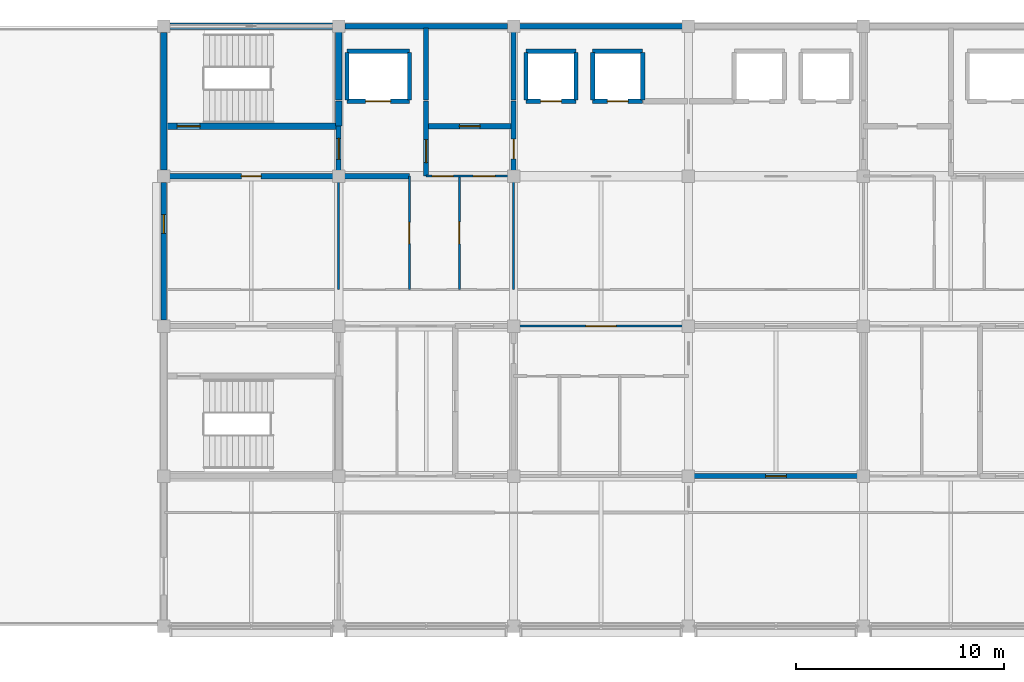
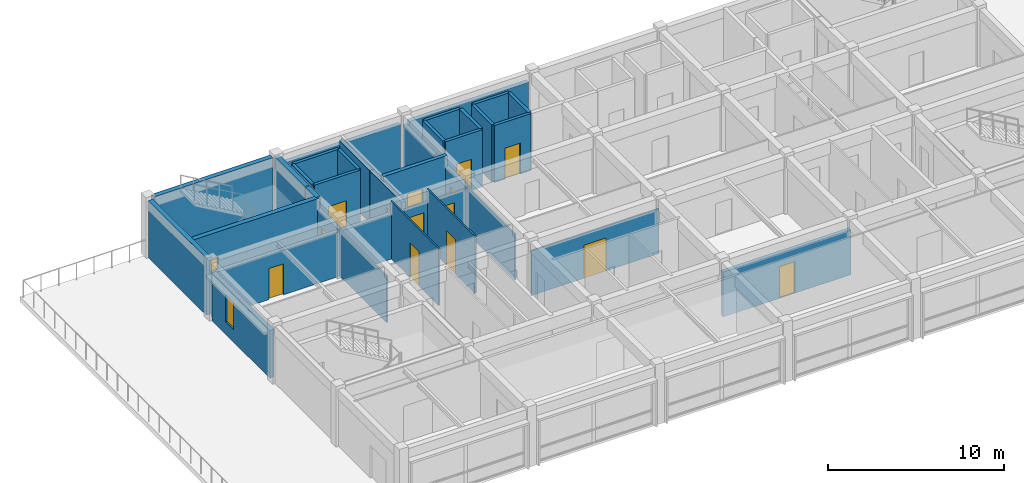
# One storey, part 8 of 13: 34 walls, 15 doors, 1 window, 16 openings.
"""IFC4 building model written with IfcOpenShell, lengths in metres."""

from ifc_helpers import new_model, si_unit, direction, frame, frame_2d, origin, place, context, subcontext, project, spatial, rectangle, extrude, material, layer, layer_set, type_object, element, fill, save


model = new_model("IFC4")

# Units and contexts
model_context = context("Model", 3, precision=1e-05, world=origin(), true_north=direction((0.0, 1.0)))
body_context = subcontext(model_context, "Body", "Model", "MODEL_VIEW")
ifc_project = project(units=[si_unit("LENGTHUNIT", "METRE"), si_unit("AREAUNIT", "SQUARE_METRE"), si_unit("VOLUMEUNIT", "CUBIC_METRE"), si_unit("PLANEANGLEUNIT", "RADIAN"), si_unit("MASSUNIT", "GRAM", prefix="KILO")], contexts=[model_context])

# Site, building, storey
site_placement = place(None, origin())
site = spatial("IfcSite", under=ifc_project, at=site_placement, CompositionType="ELEMENT")
building_placement = place(site_placement, origin())
building = spatial("IfcBuilding", under=site, at=building_placement, Name="Chengyuan Square Courthouse", CompositionType="ELEMENT")
storey_placement = place(building_placement, frame((0.0, 0.0, 60.300048828125)))
storey = spatial("IfcBuildingStorey", under=building, at=storey_placement, Name="L14", CompositionType="ELEMENT", Elevation=60.300048828125)

# Wall, opening, window
ifc_material_1 = material(Name="Concrete C40", Category="concrete")
ifc_layer_1 = layer(ifc_material_1, 0.280029296875)
ifc_layer_set_1 = layer_set([ifc_layer_1], Name="Concrete C40")
wall_type_1 = type_object("IfcWallType", Name="WL-EW4", PredefinedType="STANDARD", material=ifc_layer_set_1)
wall_1_placement = place(storey_placement, frame((58.800048828125, 93.89501953125, 0.0), z_axis=(0.0, 0.0, 1.0), x_axis=(0.0, 1.0, 0.0)))
wall_1 = element("IfcWall", 1, at=wall_1_placement, inside=storey, type_object=wall_type_1, Name="Exterior Wall WL-L14-E510", PredefinedType="STANDARD", context=body_context, shape_type="SweptSolid", body=[
    extrude(rectangle(XDim=6.60986328125, YDim=0.280029296875, at=frame_2d((3.304931640625, 0.0))), origin(), (0.0, 0.0, 1.0), 3.31005859375),
])
opening_1_placement = place(wall_1_placement, frame((4.155029296875, 0.0, 0.85009765625)))
opening_1 = element("IfcOpeningElement", 2, at=opening_1_placement, cuts=wall_1, Name="Opening WN-240", PredefinedType="OPENING", context=body_context, shape_type="SweptSolid", body=[
    extrude(rectangle(XDim=0.89990234375, YDim=1.919921875, at=frame_2d((0.449951171875, 0.9599609375))), frame((0.0, 0.152099609375, 0.0), z_axis=(0.0, -1.0, 0.0), x_axis=(1.0, 0.0, 0.0)), (0.0, 0.0, 1.0), 0.303955078125),
])
ifc_material_2 = material(Name="Thermally Broken Aluminium Triple Low-E Window", Category="aluminium")
window_type = type_object("IfcWindowType", Name="WT-05", PartitioningType="SINGLE_PANEL", PredefinedType="WINDOW", material=ifc_material_2)
window_placement = place(opening_1_placement, origin())
window = element("IfcWindow", 3, at=window_placement, inside=storey, type_object=window_type, Name="Facade Window WN-240", OverallHeight=1.919921875, OverallWidth=0.89990234375, PartitioningType="SINGLE_PANEL", PredefinedType="WINDOW", context=body_context, shape_type="SweptSolid", body=[
    extrude(rectangle(XDim=0.89990234375, YDim=1.919921875, at=frame_2d((0.449951171875, 0.9599609375))), frame((0.0, 0.030029296875, 0.0), z_axis=(0.0, -1.0, 0.0), x_axis=(1.0, 0.0, 0.0)), (0.0, 0.0, 1.0), 0.06005859375),
])
fill(opening_1, window)

# Walls
wall_2_placement = place(storey_placement, frame((67.4951171875, 108.0, 0.0), z_axis=(0.0, 0.0, 1.0), x_axis=(1.0, 0.0, 0.0)))
element("IfcWall", 4, at=wall_2_placement, inside=storey, type_object=wall_type_1, Name="Exterior Wall WL-L14-E513", PredefinedType="STANDARD", context=body_context, shape_type="SweptSolid", body=[
    extrude(rectangle(XDim=7.809814453125, YDim=0.280029296875, at=frame_2d((3.90478515625, 0.0))), origin(), (0.0, 0.0, 1.0), 3.31005859375),
])
wall_3_placement = place(storey_placement, frame((75.89501953125, 108.0, 0.0), z_axis=(0.0, 0.0, 1.0), x_axis=(1.0, 0.0, 0.0)))
element("IfcWall", 5, at=wall_3_placement, inside=storey, type_object=wall_type_1, Name="Exterior Wall WL-L14-E514", PredefinedType="STANDARD", context=body_context, shape_type="SweptSolid", body=[
    extrude(rectangle(XDim=7.81005859375, YDim=0.280029296875, at=frame_2d((3.905029296875, 0.0))), origin(), (0.0, 0.0, 1.0), 3.31005859375),
])

# Wall, opening, door
ifc_layer_2 = layer(ifc_material_1, 0.25)
ifc_layer_set_2 = layer_set([ifc_layer_2], Name="Concrete C40")
wall_type_2 = type_object("IfcWallType", Name="WL-FW1", PredefinedType="STANDARD", material=ifc_layer_set_2)
wall_4_placement = place(storey_placement, frame((84.0, 86.39990234375, 0.0), z_axis=(0.0, 0.0, 1.0), x_axis=(1.0, 0.0, 0.0)))
wall_4 = element("IfcWall", 6, at=wall_4_placement, inside=storey, type_object=wall_type_2, Name="Interior Wall WL-L14-I3906", PredefinedType="STANDARD", context=body_context, shape_type="SweptSolid", body=[
    extrude(rectangle(XDim=8.39990234375, YDim=0.25, at=frame_2d((4.199951171875, 0.0))), origin(), (0.0, 0.0, 1.0), 3.10986328125),
])
opening_2_placement = place(wall_4_placement, frame((3.699951171875, 0.0, 0.0)))
opening_2 = element("IfcOpeningElement", 7, at=opening_2_placement, cuts=wall_4, Name="Opening DR-3290", PredefinedType="OPENING", context=body_context, shape_type="SweptSolid", body=[
    extrude(rectangle(XDim=1.0, YDim=2.199951171875, at=frame_2d((0.5, 1.10009765625))), frame((0.0, 0.136962890625, 0.0), z_axis=(0.0, -1.0, 0.0), x_axis=(1.0, 0.0, 0.0)), (0.0, 0.0, 1.0), 0.27392578125),
])
ifc_material_3 = material(Name="Steel Q235B Fire Door", Category="steel")
door_type_1 = type_object("IfcDoorType", Name="DT-11", OperationType="NOTDEFINED", PredefinedType="DOOR", material=ifc_material_3)
door_1_placement = place(opening_2_placement, origin())
door_1 = element("IfcDoor", 8, at=door_1_placement, inside=storey, type_object=door_type_1, Name="Interior Door DR-3290", OperationType="SINGLE_SWING_LEFT", OverallHeight=2.199951171875, OverallWidth=1.0, PredefinedType="DOOR", context=body_context, shape_type="SweptSolid", body=[
    extrude(rectangle(XDim=1.0, YDim=2.199951171875, at=frame_2d((0.5, 1.10009765625))), frame((0.0, 0.02490234375, 0.0), z_axis=(0.0, -1.0, 0.0), x_axis=(1.0, 0.0, 0.0)), (0.0, 0.0, 1.0), 0.050048828125),
])
fill(opening_2, door_1)

wall_5_placement = place(storey_placement, frame((58.840087890625, 100.800048828125, 0.0), z_axis=(0.0, 0.0, 1.0), x_axis=(1.0, 0.0, 0.0)))
wall_5 = element("IfcWall", 9, at=wall_5_placement, inside=storey, type_object=wall_type_2, Name="Interior Wall WL-L14-I3921", PredefinedType="STANDARD", context=body_context, shape_type="SweptSolid", body=[
    extrude(rectangle(XDim=11.760009765625, YDim=0.25, at=frame_2d((5.8798828125, 0.0))), origin(), (0.0, 0.0, 1.0), 3.10986328125),
])
opening_3_placement = place(wall_5_placement, frame((3.68505859375, 0.0, 0.0)))
opening_3 = element("IfcOpeningElement", 10, at=opening_3_placement, cuts=wall_5, Name="Opening DR-3237", PredefinedType="OPENING", context=body_context, shape_type="SweptSolid", body=[
    extrude(rectangle(XDim=0.949951171875, YDim=2.14990234375, at=frame_2d((0.47509765625, 1.074951171875))), frame((0.0, 0.136962890625, 0.0), z_axis=(0.0, -1.0, 0.0), x_axis=(1.0, 0.0, 0.0)), (0.0, 0.0, 1.0), 0.27392578125),
])
door_type_2 = type_object("IfcDoorType", Name="DT-12", OperationType="NOTDEFINED", PredefinedType="DOOR", material=ifc_material_3)
door_2_placement = place(opening_3_placement, origin())
door_2 = element("IfcDoor", 11, at=door_2_placement, inside=storey, type_object=door_type_2, Name="Interior Door DR-3237", OperationType="SINGLE_SWING_RIGHT", OverallHeight=2.14990234375, OverallWidth=0.949951171875, PredefinedType="DOOR", context=body_context, shape_type="SweptSolid", body=[
    extrude(rectangle(XDim=0.949951171875, YDim=2.14990234375, at=frame_2d((0.47509765625, 1.074951171875))), frame((0.0, 0.02490234375, 0.0), z_axis=(0.0, -1.0, 0.0), x_axis=(1.0, 0.0, 0.0)), (0.0, 0.0, 1.0), 0.050048828125),
])
fill(opening_3, door_2)

wall_6_placement = place(storey_placement, frame((71.39990234375, 103.199951171875, 0.0), z_axis=(0.0, 0.0, 1.0), x_axis=(1.0, 0.0, 0.0)))
wall_6 = element("IfcWall", 12, at=wall_6_placement, inside=storey, type_object=wall_type_2, Name="Interior Wall WL-L14-I3927", PredefinedType="STANDARD", context=body_context, shape_type="SweptSolid", body=[
    extrude(rectangle(XDim=4.2001953125, YDim=0.25, at=frame_2d((2.10009765625, 0.0))), origin(), (0.0, 0.0, 1.0), 3.9599609375),
])
opening_4_placement = place(wall_6_placement, frame((1.60009765625, 0.0, 0.0)))
opening_4 = element("IfcOpeningElement", 13, at=opening_4_placement, cuts=wall_6, Name="Opening DR-3245", PredefinedType="OPENING", context=body_context, shape_type="SweptSolid", body=[
    extrude(rectangle(XDim=1.0, YDim=2.199951171875, at=frame_2d((0.5, 1.10009765625))), frame((0.0, 0.136962890625, 0.0), z_axis=(0.0, -1.0, 0.0), x_axis=(1.0, 0.0, 0.0)), (0.0, 0.0, 1.0), 0.27392578125),
])
door_3_placement = place(opening_4_placement, origin())
door_3 = element("IfcDoor", 14, at=door_3_placement, inside=storey, type_object=door_type_1, Name="Interior Door DR-3245", OperationType="SINGLE_SWING_RIGHT", OverallHeight=2.199951171875, OverallWidth=1.0, PredefinedType="DOOR", context=body_context, shape_type="SweptSolid", body=[
    extrude(rectangle(XDim=1.0, YDim=2.199951171875, at=frame_2d((0.5, 1.10009765625))), frame((0.0, 0.02490234375, 0.0), z_axis=(0.0, -1.0, 0.0), x_axis=(1.0, 0.0, 0.0)), (0.0, 0.0, 1.0), 0.050048828125),
])
fill(opening_4, door_3)

wall_7_placement = place(storey_placement, frame((67.199951171875, 100.800048828125, 0.0), z_axis=(0.0, 0.0, 1.0), x_axis=(0.0, 1.0, 0.0)))
wall_7 = element("IfcWall", 15, at=wall_7_placement, inside=storey, type_object=wall_type_2, Name="Interior Wall WL-L14-I3948", PredefinedType="STANDARD", context=body_context, shape_type="SweptSolid", body=[
    extrude(rectangle(XDim=2.39990234375, YDim=0.25, at=frame_2d((1.199951171875, 0.0))), origin(), (0.0, 0.0, 1.0), 3.2099609375),
])
opening_5_placement = place(wall_7_placement, frame((0.81005859375, 0.0, 0.0)))
opening_5 = element("IfcOpeningElement", 16, at=opening_5_placement, cuts=wall_7, Name="Opening DR-3236", PredefinedType="OPENING", context=body_context, shape_type="SweptSolid", body=[
    extrude(rectangle(XDim=1.0, YDim=2.199951171875, at=frame_2d((0.5, 1.10009765625))), frame((0.0, 0.136962890625, 0.0), z_axis=(0.0, -1.0, 0.0), x_axis=(1.0, 0.0, 0.0)), (0.0, 0.0, 1.0), 0.27392578125),
])
door_4_placement = place(opening_5_placement, origin())
door_4 = element("IfcDoor", 17, at=door_4_placement, inside=storey, type_object=door_type_1, Name="Interior Door DR-3236", OperationType="SINGLE_SWING_LEFT", OverallHeight=2.199951171875, OverallWidth=1.0, PredefinedType="DOOR", context=body_context, shape_type="SweptSolid", body=[
    extrude(rectangle(XDim=1.0, YDim=2.199951171875, at=frame_2d((0.5, 1.10009765625))), frame((0.0, 0.02490234375, 0.0), z_axis=(0.0, -1.0, 0.0), x_axis=(1.0, 0.0, 0.0)), (0.0, 0.0, 1.0), 0.050048828125),
])
fill(opening_5, door_4)

wall_8_placement = place(storey_placement, frame((71.39990234375, 100.800048828125, 0.0), z_axis=(0.0, 0.0, 1.0), x_axis=(0.0, 1.0, 0.0)))
wall_8 = element("IfcWall", 18, at=wall_8_placement, inside=storey, type_object=wall_type_2, Name="Interior Wall WL-L14-I3955", PredefinedType="STANDARD", context=body_context, shape_type="SweptSolid", body=[
    extrude(rectangle(XDim=3.599853515625, YDim=0.25, at=frame_2d((1.7998046875, 0.0))), origin(), (0.0, 0.0, 1.0), 3.60986328125),
])
opening_6_placement = place(wall_8_placement, frame((0.64990234375, 0.0, 0.0)))
opening_6 = element("IfcOpeningElement", 19, at=opening_6_placement, cuts=wall_8, Name="Opening DR-3244", PredefinedType="OPENING", context=body_context, shape_type="SweptSolid", body=[
    extrude(rectangle(XDim=1.10009765625, YDim=2.199951171875, at=frame_2d((0.550048828125, 1.10009765625))), frame((0.0, 0.136962890625, 0.0), z_axis=(0.0, -1.0, 0.0), x_axis=(1.0, 0.0, 0.0)), (0.0, 0.0, 1.0), 0.27392578125),
])
door_type_3 = type_object("IfcDoorType", Name="DT-10", OperationType="NOTDEFINED", PredefinedType="DOOR", material=ifc_material_3)
door_5_placement = place(opening_6_placement, origin())
door_5 = element("IfcDoor", 20, at=door_5_placement, inside=storey, type_object=door_type_3, Name="Interior Door DR-3244", OperationType="SINGLE_SWING_LEFT", OverallHeight=2.199951171875, OverallWidth=1.10009765625, PredefinedType="DOOR", context=body_context, shape_type="SweptSolid", body=[
    extrude(rectangle(XDim=1.10009765625, YDim=2.199951171875, at=frame_2d((0.550048828125, 1.10009765625))), frame((0.0, 0.02490234375, 0.0), z_axis=(0.0, -1.0, 0.0), x_axis=(1.0, 0.0, 0.0)), (0.0, 0.0, 1.0), 0.050048828125),
])
fill(opening_6, door_5)

# Wall
wall_9_placement = place(storey_placement, frame((71.39990234375, 104.449951171875, 0.0), z_axis=(0.0, 0.0, 1.0), x_axis=(0.0, 1.0, 0.0)))
element("IfcWall", 21, at=wall_9_placement, inside=storey, type_object=wall_type_2, Name="Interior Wall WL-L14-I3956", PredefinedType="STANDARD", context=body_context, shape_type="SweptSolid", body=[
    extrude(rectangle(XDim=3.4599609375, YDim=0.25, at=frame_2d((1.72998046875, 0.0))), origin(), (0.0, 0.0, 1.0), 3.60986328125),
])

# Wall, opening, door
wall_10_placement = place(storey_placement, frame((75.60009765625, 100.800048828125, 0.0), z_axis=(0.0, 0.0, 1.0), x_axis=(0.0, 1.0, 0.0)))
wall_10 = element("IfcWall", 22, at=wall_10_placement, inside=storey, type_object=wall_type_2, Name="Interior Wall WL-L14-I3961", PredefinedType="STANDARD", context=body_context, shape_type="SweptSolid", body=[
    extrude(rectangle(XDim=3.599853515625, YDim=0.25, at=frame_2d((1.7998046875, 0.0))), origin(), (0.0, 0.0, 1.0), 3.2099609375),
])
opening_7_placement = place(wall_10_placement, frame((0.8349609375, 0.0, 0.0)))
opening_7 = element("IfcOpeningElement", 23, at=opening_7_placement, cuts=wall_10, Name="Opening DR-3246", PredefinedType="OPENING", context=body_context, shape_type="SweptSolid", body=[
    extrude(rectangle(XDim=0.949951171875, YDim=2.14990234375, at=frame_2d((0.47509765625, 1.074951171875))), frame((0.0, 0.136962890625, 0.0), z_axis=(0.0, -1.0, 0.0), x_axis=(1.0, 0.0, 0.0)), (0.0, 0.0, 1.0), 0.27392578125),
])
door_6_placement = place(opening_7_placement, origin())
door_6 = element("IfcDoor", 24, at=door_6_placement, inside=storey, type_object=door_type_2, Name="Interior Door DR-3246", OperationType="SINGLE_SWING_LEFT", OverallHeight=2.14990234375, OverallWidth=0.949951171875, PredefinedType="DOOR", context=body_context, shape_type="SweptSolid", body=[
    extrude(rectangle(XDim=0.949951171875, YDim=2.14990234375, at=frame_2d((0.47509765625, 1.074951171875))), frame((0.0, 0.02490234375, 0.0), z_axis=(0.0, -1.0, 0.0), x_axis=(1.0, 0.0, 0.0)), (0.0, 0.0, 1.0), 0.050048828125),
])
fill(opening_7, door_6)

# Wall
wall_11_placement = place(storey_placement, frame((75.60009765625, 104.449951171875, 0.0), z_axis=(0.0, 0.0, 1.0), x_axis=(0.0, 1.0, 0.0)))
element("IfcWall", 25, at=wall_11_placement, inside=storey, type_object=wall_type_2, Name="Interior Wall WL-L14-I3962", PredefinedType="STANDARD", context=body_context, shape_type="SweptSolid", body=[
    extrude(rectangle(XDim=3.4599609375, YDim=0.25, at=frame_2d((1.72998046875, 0.0))), origin(), (0.0, 0.0, 1.0), 3.2099609375),
])

# Wall, opening, door
ifc_material_4 = material(Name="Gypsum Plasterboard Acoustic Stud Partition")
ifc_layer_3 = layer(ifc_material_4, 0.10009765625)
ifc_layer_set_3 = layer_set([ifc_layer_3], Name="Gypsum Plasterboard Acoustic Stud Partition")
wall_type_3 = type_object("IfcWallType", Name="WL-PT6", PredefinedType="STANDARD", material=ifc_layer_set_3)
wall_12_placement = place(storey_placement, frame((75.60009765625, 93.60009765625, 0.0), z_axis=(0.0, 0.0, 1.0), x_axis=(1.0, 0.0, 0.0)))
wall_12 = element("IfcWall", 26, at=wall_12_placement, inside=storey, type_object=wall_type_3, Name="Interior Wall WL-L14-I3916", PredefinedType="STANDARD", context=body_context, shape_type="SweptSolid", body=[
    extrude(rectangle(XDim=8.39990234375, YDim=0.10009765625, at=frame_2d((4.199951171875, 0.0))), origin(), (0.0, 0.0, 1.0), 3.10986328125),
])
opening_8_placement = place(wall_12_placement, frame((3.47509765625, 0.0, 0.0)))
opening_8 = element("IfcOpeningElement", 27, at=opening_8_placement, cuts=wall_12, Name="Opening DR-3260", PredefinedType="OPENING", context=body_context, shape_type="SweptSolid", body=[
    extrude(rectangle(XDim=1.449951171875, YDim=2.300048828125, at=frame_2d((0.72509765625, 1.14990234375))), frame((0.0, 0.06201171875, 0.0), z_axis=(0.0, -1.0, 0.0), x_axis=(1.0, 0.0, 0.0)), (0.0, 0.0, 1.0), 0.1240234375),
])
ifc_material_5 = material(Name="Acoustic Larch Veneer Double Door")
door_type_4 = type_object("IfcDoorType", Name="DT-25", OperationType="DOUBLE_DOOR_SINGLE_SWING", PredefinedType="DOOR", material=ifc_material_5)
door_7_placement = place(opening_8_placement, frame((1.449951171875, 0.0, 0.0), z_axis=(0.0, 0.0, 1.0), x_axis=(-1.0, 0.0, 0.0)))
door_7 = element("IfcDoor", 28, at=door_7_placement, inside=storey, type_object=door_type_4, Name="Interior Door DR-3260", OperationType="DOUBLE_DOOR_SINGLE_SWING", OverallHeight=2.300048828125, OverallWidth=1.449951171875, PredefinedType="DOOR", context=body_context, shape_type="SweptSolid", body=[
    extrude(rectangle(XDim=1.449951171875, YDim=2.300048828125, at=frame_2d((0.72509765625, 1.14990234375))), frame((0.0, 0.02490234375, 0.0), z_axis=(0.0, -1.0, 0.0), x_axis=(1.0, 0.0, 0.0)), (0.0, 0.0, 1.0), 0.050048828125),
])
fill(opening_8, door_7)

# Wall, openings, doors
wall_13_placement = place(storey_placement, frame((71.39990234375, 100.800048828125, 0.0), z_axis=(0.0, 0.0, 1.0), x_axis=(1.0, 0.0, 0.0)))
wall_13 = element("IfcWall", 29, at=wall_13_placement, inside=storey, type_object=wall_type_3, Name="Interior Wall WL-L14-I3922", PredefinedType="STANDARD", context=body_context, shape_type="SweptSolid", body=[
    extrude(rectangle(XDim=4.2001953125, YDim=0.10009765625, at=frame_2d((2.10009765625, 0.0))), origin(), (0.0, 0.0, 1.0), 3.10986328125),
])
opening_9_placement = place(wall_13_placement, frame((0.2900390625, 0.0, 0.0)))
opening_9 = element("IfcOpeningElement", 30, at=opening_9_placement, cuts=wall_13, Name="Opening DR-3247", PredefinedType="OPENING", context=body_context, shape_type="SweptSolid", body=[
    extrude(rectangle(XDim=1.02001953125, YDim=2.39990234375, at=frame_2d((0.510009765625, 1.199951171875))), frame((0.0, 0.06201171875, 0.0), z_axis=(0.0, -1.0, 0.0), x_axis=(1.0, 0.0, 0.0)), (0.0, 0.0, 1.0), 0.1240234375),
])
opening_10_placement = place(wall_13_placement, frame((2.260009765625, 0.0, 0.0)))
opening_10 = element("IfcOpeningElement", 31, at=opening_10_placement, cuts=wall_13, Name="Opening DR-3248", PredefinedType="OPENING", context=body_context, shape_type="SweptSolid", body=[
    extrude(rectangle(XDim=1.06005859375, YDim=2.39990234375, at=frame_2d((0.530029296875, 1.199951171875))), frame((0.0, 0.06201171875, 0.0), z_axis=(0.0, -1.0, 0.0), x_axis=(1.0, 0.0, 0.0)), (0.0, 0.0, 1.0), 0.1240234375),
])
ifc_material_6 = material(Name="Acoustic Solid-Core Timber Door", Category="wood")
door_type_5 = type_object("IfcDoorType", Name="DT-41", OperationType="NOTDEFINED", PredefinedType="DOOR", material=ifc_material_6)
door_8_placement = place(opening_9_placement, origin())
door_8 = element("IfcDoor", 32, at=door_8_placement, inside=storey, type_object=door_type_5, Name="Interior Door DR-3247", OperationType="SINGLE_SWING_RIGHT", OverallHeight=2.39990234375, OverallWidth=1.02001953125, PredefinedType="DOOR", context=body_context, shape_type="SweptSolid", body=[
    extrude(rectangle(XDim=1.02001953125, YDim=2.39990234375, at=frame_2d((0.510009765625, 1.199951171875))), frame((0.0, 0.02490234375, 0.0), z_axis=(0.0, -1.0, 0.0), x_axis=(1.0, 0.0, 0.0)), (0.0, 0.0, 1.0), 0.050048828125),
])
fill(opening_9, door_8)
door_type_6 = type_object("IfcDoorType", Name="DT-42", OperationType="NOTDEFINED", PredefinedType="DOOR", material=ifc_material_6)
door_9_placement = place(opening_10_placement, origin())
door_9 = element("IfcDoor", 33, at=door_9_placement, inside=storey, type_object=door_type_6, Name="Interior Door DR-3248", OperationType="SINGLE_SWING_LEFT", OverallHeight=2.39990234375, OverallWidth=1.06005859375, PredefinedType="DOOR", context=body_context, shape_type="SweptSolid", body=[
    extrude(rectangle(XDim=1.06005859375, YDim=2.39990234375, at=frame_2d((0.530029296875, 1.199951171875))), frame((0.0, 0.02490234375, 0.0), z_axis=(0.0, -1.0, 0.0), x_axis=(1.0, 0.0, 0.0)), (0.0, 0.0, 1.0), 0.050048828125),
])
fill(opening_10, door_9)

# Wall
wall_14_placement = place(storey_placement, frame((67.199951171875, 95.35009765625, 0.0), z_axis=(0.0, 0.0, 1.0), x_axis=(0.0, 1.0, 0.0)))
element("IfcWall", 34, at=wall_14_placement, inside=storey, type_object=wall_type_3, Name="Interior Wall WL-L14-I3947", PredefinedType="STANDARD", context=body_context, shape_type="SweptSolid", body=[
    extrude(rectangle(XDim=5.449951171875, YDim=0.10009765625, at=frame_2d((2.72509765625, 0.0))), origin(), (0.0, 0.0, 1.0), 3.2099609375),
])

# Wall, opening, door
wall_15_placement = place(storey_placement, frame((70.60009765625, 95.35009765625, 0.0), z_axis=(0.0, 0.0, 1.0), x_axis=(0.0, 1.0, 0.0)))
wall_15 = element("IfcWall", 35, at=wall_15_placement, inside=storey, type_object=wall_type_3, Name="Interior Wall WL-L14-I3953", PredefinedType="STANDARD", context=body_context, shape_type="SweptSolid", body=[
    extrude(rectangle(XDim=5.449951171875, YDim=0.10009765625, at=frame_2d((2.72509765625, 0.0))), origin(), (0.0, 0.0, 1.0), 3.9599609375),
])
opening_11_placement = place(wall_15_placement, frame((2.215087890625, 0.0, 0.0)))
opening_11 = element("IfcOpeningElement", 36, at=opening_11_placement, cuts=wall_15, Name="Opening DR-3281", PredefinedType="OPENING", context=body_context, shape_type="SweptSolid", body=[
    extrude(rectangle(XDim=1.02001953125, YDim=2.39990234375, at=frame_2d((0.510009765625, 1.199951171875))), frame((0.0, 0.06201171875, 0.0), z_axis=(0.0, -1.0, 0.0), x_axis=(1.0, 0.0, 0.0)), (0.0, 0.0, 1.0), 0.1240234375),
])
door_10_placement = place(opening_11_placement, origin())
door_10 = element("IfcDoor", 37, at=door_10_placement, inside=storey, type_object=door_type_5, Name="Interior Door DR-3281", OperationType="SINGLE_SWING_RIGHT", OverallHeight=2.39990234375, OverallWidth=1.02001953125, PredefinedType="DOOR", context=body_context, shape_type="SweptSolid", body=[
    extrude(rectangle(XDim=1.02001953125, YDim=2.39990234375, at=frame_2d((0.510009765625, 1.199951171875))), frame((0.0, 0.02490234375, 0.0), z_axis=(0.0, -1.0, 0.0), x_axis=(1.0, 0.0, 0.0)), (0.0, 0.0, 1.0), 0.050048828125),
])
fill(opening_11, door_10)

wall_16_placement = place(storey_placement, frame((73.0, 95.35009765625, 0.0), z_axis=(0.0, 0.0, 1.0), x_axis=(0.0, 1.0, 0.0)))
wall_16 = element("IfcWall", 38, at=wall_16_placement, inside=storey, type_object=wall_type_3, Name="Interior Wall WL-L14-I3958", PredefinedType="STANDARD", context=body_context, shape_type="SweptSolid", body=[
    extrude(rectangle(XDim=5.449951171875, YDim=0.10009765625, at=frame_2d((2.72509765625, 0.0))), origin(), (0.0, 0.0, 1.0), 3.9599609375),
])
opening_12_placement = place(wall_16_placement, frame((2.195068359375, 0.0, 0.0)))
opening_12 = element("IfcOpeningElement", 39, at=opening_12_placement, cuts=wall_16, Name="Opening DR-3282", PredefinedType="OPENING", context=body_context, shape_type="SweptSolid", body=[
    extrude(rectangle(XDim=1.06005859375, YDim=2.39990234375, at=frame_2d((0.530029296875, 1.199951171875))), frame((0.0, 0.06201171875, 0.0), z_axis=(0.0, -1.0, 0.0), x_axis=(1.0, 0.0, 0.0)), (0.0, 0.0, 1.0), 0.1240234375),
])
door_11_placement = place(opening_12_placement, origin())
door_11 = element("IfcDoor", 40, at=door_11_placement, inside=storey, type_object=door_type_6, Name="Interior Door DR-3282", OperationType="SINGLE_SWING_LEFT", OverallHeight=2.39990234375, OverallWidth=1.06005859375, PredefinedType="DOOR", context=body_context, shape_type="SweptSolid", body=[
    extrude(rectangle(XDim=1.06005859375, YDim=2.39990234375, at=frame_2d((0.530029296875, 1.199951171875))), frame((0.0, 0.02490234375, 0.0), z_axis=(0.0, -1.0, 0.0), x_axis=(1.0, 0.0, 0.0)), (0.0, 0.0, 1.0), 0.050048828125),
])
fill(opening_12, door_11)

# Wall
wall_17_placement = place(storey_placement, frame((75.60009765625, 95.35009765625, 0.0), z_axis=(0.0, 0.0, 1.0), x_axis=(0.0, 1.0, 0.0)))
element("IfcWall", 41, at=wall_17_placement, inside=storey, type_object=wall_type_3, Name="Interior Wall WL-L14-I3960", PredefinedType="STANDARD", context=body_context, shape_type="SweptSolid", body=[
    extrude(rectangle(XDim=5.449951171875, YDim=0.10009765625, at=frame_2d((2.72509765625, 0.0))), origin(), (0.0, 0.0, 1.0), 3.2099609375),
])

# Wall, opening, door
ifc_material_7 = material(Name="Reinforced Masonry Shaft Enclosure", Category="masonry")
ifc_layer_4 = layer(ifc_material_7, 0.199951171875)
ifc_layer_set_4 = layer_set([ifc_layer_4], Name="Reinforced Masonry Shaft Enclosure")
wall_type_4 = type_object("IfcWallType", Name="WL-SH1", PredefinedType="STANDARD", material=ifc_layer_set_4)
wall_18_placement = place(storey_placement, frame((67.60009765625, 104.39990234375, 0.0), z_axis=(0.0, 0.0, 1.0), x_axis=(1.0, 0.0, 0.0)))
wall_18 = element("IfcWall", 42, at=wall_18_placement, inside=storey, type_object=wall_type_4, Name="Interior Wall WL-L14-I3930", PredefinedType="STANDARD", context=body_context, shape_type="SweptSolid", body=[
    extrude(rectangle(XDim=3.0, YDim=0.199951171875, at=frame_2d((1.5, 0.0))), origin(), (0.0, 0.0, 1.0), 3.9599609375),
])
opening_13_placement = place(wall_18_placement, frame((0.89990234375, 0.0, 0.0)))
opening_13 = element("IfcOpeningElement", 43, at=opening_13_placement, cuts=wall_18, Name="Opening LD-199", PredefinedType="OPENING", context=body_context, shape_type="SweptSolid", body=[
    extrude(rectangle(XDim=1.199951171875, YDim=2.14990234375, at=frame_2d((0.60009765625, 1.074951171875))), frame((0.0, 0.112060546875, 0.0), z_axis=(0.0, -1.0, 0.0), x_axis=(1.0, 0.0, 0.0)), (0.0, 0.0, 1.0), 0.223876953125),
])
ifc_material_8 = material(Name="Stainless Steel S30408 Lift Landing Door", Category="steel")
door_type_7 = type_object("IfcDoorType", Name="DT-05", OperationType="DOUBLE_DOOR_SLIDING", PredefinedType="DOOR", material=ifc_material_8)
door_12_placement = place(opening_13_placement, origin())
door_12 = element("IfcDoor", 44, at=door_12_placement, inside=storey, type_object=door_type_7, Name="Lift Landing Door LF-F1 L14", OperationType="DOUBLE_DOOR_SLIDING", OverallHeight=2.14990234375, OverallWidth=1.199951171875, PredefinedType="DOOR", context=body_context, shape_type="SweptSolid", body=[
    extrude(rectangle(XDim=1.199951171875, YDim=2.14990234375, at=frame_2d((0.60009765625, 1.074951171875))), frame((0.0, 0.02490234375, 0.0), z_axis=(0.0, -1.0, 0.0), x_axis=(1.0, 0.0, 0.0)), (0.0, 0.0, 1.0), 0.050048828125),
])
fill(opening_13, door_12)

wall_19_placement = place(storey_placement, frame((76.199951171875, 104.39990234375, 0.0), z_axis=(0.0, 0.0, 1.0), x_axis=(1.0, 0.0, 0.0)))
wall_19 = element("IfcWall", 45, at=wall_19_placement, inside=storey, type_object=wall_type_4, Name="Interior Wall WL-L14-I3931", PredefinedType="STANDARD", context=body_context, shape_type="SweptSolid", body=[
    extrude(rectangle(XDim=2.400146484375, YDim=0.199951171875, at=frame_2d((1.2001953125, 0.0))), origin(), (0.0, 0.0, 1.0), 3.9599609375),
])
opening_14_placement = place(wall_19_placement, frame((0.699951171875, 0.0, 0.0)))
opening_14 = element("IfcOpeningElement", 46, at=opening_14_placement, cuts=wall_19, Name="Opening LD-201", PredefinedType="OPENING", context=body_context, shape_type="SweptSolid", body=[
    extrude(rectangle(XDim=1.0, YDim=2.14990234375, at=frame_2d((0.5, 1.074951171875))), frame((0.0, 0.112060546875, 0.0), z_axis=(0.0, -1.0, 0.0), x_axis=(1.0, 0.0, 0.0)), (0.0, 0.0, 1.0), 0.223876953125),
])
door_type_8 = type_object("IfcDoorType", Name="DT-07", OperationType="DOUBLE_DOOR_SLIDING", PredefinedType="DOOR", material=ifc_material_8)
door_13_placement = place(opening_14_placement, origin())
door_13 = element("IfcDoor", 47, at=door_13_placement, inside=storey, type_object=door_type_8, Name="Lift Landing Door LF-J1 L14", OperationType="DOUBLE_DOOR_SLIDING", OverallHeight=2.14990234375, OverallWidth=1.0, PredefinedType="DOOR", context=body_context, shape_type="SweptSolid", body=[
    extrude(rectangle(XDim=1.0, YDim=2.14990234375, at=frame_2d((0.5, 1.074951171875))), frame((0.0, 0.02490234375, 0.0), z_axis=(0.0, -1.0, 0.0), x_axis=(1.0, 0.0, 0.0)), (0.0, 0.0, 1.0), 0.050048828125),
])
fill(opening_14, door_13)

wall_20_placement = place(storey_placement, frame((79.39990234375, 104.39990234375, 0.0), z_axis=(0.0, 0.0, 1.0), x_axis=(1.0, 0.0, 0.0)))
wall_20 = element("IfcWall", 48, at=wall_20_placement, inside=storey, type_object=wall_type_4, Name="Interior Wall WL-L14-I3932", PredefinedType="STANDARD", context=body_context, shape_type="SweptSolid", body=[
    extrude(rectangle(XDim=2.400146484375, YDim=0.199951171875, at=frame_2d((1.2001953125, 0.0))), origin(), (0.0, 0.0, 1.0), 3.9599609375),
])
opening_15_placement = place(wall_20_placement, frame((0.699951171875, 0.0, 0.0)))
opening_15 = element("IfcOpeningElement", 49, at=opening_15_placement, cuts=wall_20, Name="Opening LD-202", PredefinedType="OPENING", context=body_context, shape_type="SweptSolid", body=[
    extrude(rectangle(XDim=1.0, YDim=2.14990234375, at=frame_2d((0.5, 1.074951171875))), frame((0.0, 0.112060546875, 0.0), z_axis=(0.0, -1.0, 0.0), x_axis=(1.0, 0.0, 0.0)), (0.0, 0.0, 1.0), 0.223876953125),
])
door_14_placement = place(opening_15_placement, origin())
door_14 = element("IfcDoor", 50, at=door_14_placement, inside=storey, type_object=door_type_8, Name="Lift Landing Door LF-J2 L14", OperationType="DOUBLE_DOOR_SLIDING", OverallHeight=2.14990234375, OverallWidth=1.0, PredefinedType="DOOR", context=body_context, shape_type="SweptSolid", body=[
    extrude(rectangle(XDim=1.0, YDim=2.14990234375, at=frame_2d((0.5, 1.074951171875))), frame((0.0, 0.02490234375, 0.0), z_axis=(0.0, -1.0, 0.0), x_axis=(1.0, 0.0, 0.0)), (0.0, 0.0, 1.0), 0.050048828125),
])
fill(opening_15, door_14)

# Walls
wall_21_placement = place(storey_placement, frame((67.60009765625, 106.800048828125, 0.0), z_axis=(0.0, 0.0, 1.0), x_axis=(1.0, 0.0, 0.0)))
element("IfcWall", 51, at=wall_21_placement, inside=storey, type_object=wall_type_4, Name="Interior Wall WL-L14-I3938", PredefinedType="STANDARD", context=body_context, shape_type="SweptSolid", body=[
    extrude(rectangle(XDim=3.0, YDim=0.199951171875, at=frame_2d((1.5, 0.0))), origin(), (0.0, 0.0, 1.0), 3.9599609375),
])
for number, where, z_axis, x_axis, name in (
    (52, (76.199951171875, 106.800048828125, 0.0), (0.0, 0.0, 1.0), (1.0, 0.0, 0.0), "Interior Wall WL-L14-I3939"),
    (53, (79.39990234375, 106.800048828125, 0.0), (0.0, 0.0, 1.0), (1.0, 0.0, 0.0), "Interior Wall WL-L14-I3940"),
):
    element("IfcWall", number, at=place(storey_placement, frame(where, z_axis=z_axis, x_axis=x_axis)), inside=storey, type_object=wall_type_4, Name=name, PredefinedType="STANDARD", context=body_context, shape_type="SweptSolid", body=[
        extrude(rectangle(XDim=2.400146484375, YDim=0.199951171875, at=frame_2d((1.2001953125, 0.0))), origin(), (0.0, 0.0, 1.0), 3.9599609375),
    ])
for number, where, z_axis, x_axis, name in (
    (54, (67.60009765625, 104.449951171875, 0.0), (0.0, 0.0, 1.0), (0.0, 1.0, 0.0), "Interior Wall WL-L14-I3951"),
    (55, (70.60009765625, 104.449951171875, 0.0), (0.0, 0.0, 1.0), (0.0, 1.0, 0.0), "Interior Wall WL-L14-I3954"),
    (56, (76.199951171875, 104.449951171875, 0.0), (0.0, 0.0, 1.0), (0.0, 1.0, 0.0), "Interior Wall WL-L14-I3963"),
    (57, (78.60009765625, 104.449951171875, 0.0), (0.0, 0.0, 1.0), (0.0, 1.0, 0.0), "Interior Wall WL-L14-I3965"),
    (58, (79.39990234375, 104.449951171875, 0.0), (0.0, 0.0, 1.0), (0.0, 1.0, 0.0), "Interior Wall WL-L14-I3966"),
    (59, (81.800048828125, 104.449951171875, 0.0), (0.0, 0.0, 1.0), (0.0, 1.0, 0.0), "Interior Wall WL-L14-I3968"),
):
    element("IfcWall", number, at=place(storey_placement, frame(where, z_axis=z_axis, x_axis=x_axis)), inside=storey, type_object=wall_type_4, Name=name, PredefinedType="STANDARD", context=body_context, shape_type="SweptSolid", body=[
        extrude(rectangle(XDim=2.300048828125, YDim=0.199951171875, at=frame_2d((1.14990234375, 0.0))), origin(), (0.0, 0.0, 1.0), 3.9599609375),
    ])
ifc_layer_5 = layer(ifc_material_1, 0.300048828125)
ifc_layer_set_5 = layer_set([ifc_layer_5], Name="Concrete C40")
wall_type_5 = type_object("IfcWallType", Name="WL-SW2", PredefinedType="SHEAR", material=ifc_layer_set_5)
wall_22_placement = place(storey_placement, frame((59.094970703125, 108.0, 0.0), z_axis=(0.0, 0.0, 1.0), x_axis=(1.0, 0.0, 0.0)))
element("IfcWall", 60, at=wall_22_placement, inside=storey, type_object=wall_type_5, Name="Exterior Wall WL-L14-E511", PredefinedType="SHEAR", context=body_context, shape_type="SweptSolid", body=[
    extrude(rectangle(XDim=7.81005859375, YDim=0.300048828125, at=frame_2d((3.905029296875, 0.0))), origin(), (0.0, 0.0, 1.0), 3.9599609375),
])
wall_23_placement = place(storey_placement, frame((58.800048828125, 101.094970703125, 0.0), z_axis=(0.0, 0.0, 1.0), x_axis=(0.0, 1.0, 0.0)))
element("IfcWall", 61, at=wall_23_placement, inside=storey, type_object=wall_type_5, Name="Exterior Wall WL-L14-E512", PredefinedType="SHEAR", context=body_context, shape_type="SweptSolid", body=[
    extrude(rectangle(XDim=6.610107421875, YDim=0.300048828125, at=frame_2d((3.30517578125, 0.0))), origin(), (0.0, 0.0, 1.0), 3.9599609375),
])

# Wall, opening, door
wall_24_placement = place(storey_placement, frame((58.840087890625, 103.199951171875, 0.0), z_axis=(0.0, 0.0, 1.0), x_axis=(1.0, 0.0, 0.0)))
wall_24 = element("IfcWall", 62, at=wall_24_placement, inside=storey, type_object=wall_type_5, Name="Interior Wall WL-L14-I3926", PredefinedType="SHEAR", context=body_context, shape_type="SweptSolid", body=[
    extrude(rectangle(XDim=8.35986328125, YDim=0.300048828125, at=frame_2d((4.179931640625, 0.0))), origin(), (0.0, 0.0, 1.0), 3.9599609375),
])
opening_16_placement = place(wall_24_placement, frame((0.610107421875, 0.0, 0.0)))
opening_16 = element("IfcOpeningElement", 63, at=opening_16_placement, cuts=wall_24, Name="Opening DR-3232", PredefinedType="OPENING", context=body_context, shape_type="SweptSolid", body=[
    extrude(rectangle(XDim=1.10009765625, YDim=2.199951171875, at=frame_2d((0.550048828125, 1.10009765625))), frame((0.0, 0.162109375, 0.0), z_axis=(0.0, -1.0, 0.0), x_axis=(1.0, 0.0, 0.0)), (0.0, 0.0, 1.0), 0.323974609375),
])
door_15_placement = place(opening_16_placement, origin())
door_15 = element("IfcDoor", 64, at=door_15_placement, inside=storey, type_object=door_type_3, Name="Smoke-Proof Stairwell Fire Door ST-1 DR-3232", OperationType="SINGLE_SWING_LEFT", OverallHeight=2.199951171875, OverallWidth=1.10009765625, PredefinedType="DOOR", context=body_context, shape_type="SweptSolid", body=[
    extrude(rectangle(XDim=1.10009765625, YDim=2.199951171875, at=frame_2d((0.550048828125, 1.10009765625))), frame((0.0, 0.02490234375, 0.0), z_axis=(0.0, -1.0, 0.0), x_axis=(1.0, 0.0, 0.0)), (0.0, 0.0, 1.0), 0.050048828125),
])
fill(opening_16, door_15)

# Walls
wall_25_placement = place(storey_placement, frame((67.199951171875, 103.199951171875, 0.0), z_axis=(0.0, 0.0, 1.0), x_axis=(0.0, 1.0, 0.0)))
element("IfcWall", 65, at=wall_25_placement, inside=storey, type_object=wall_type_5, Name="Interior Wall WL-L14-I3949", PredefinedType="SHEAR", context=body_context, shape_type="SweptSolid", body=[
    extrude(rectangle(XDim=1.199951171875, YDim=0.300048828125, at=frame_2d((0.60009765625, 0.0))), origin(), (0.0, 0.0, 1.0), 3.9599609375),
])
wall_26_placement = place(storey_placement, frame((67.199951171875, 104.449951171875, 0.0), z_axis=(0.0, 0.0, 1.0), x_axis=(0.0, 1.0, 0.0)))
element("IfcWall", 66, at=wall_26_placement, inside=storey, type_object=wall_type_5, Name="Interior Wall WL-L14-I3950", PredefinedType="SHEAR", context=body_context, shape_type="SweptSolid", body=[
    extrude(rectangle(XDim=3.4599609375, YDim=0.300048828125, at=frame_2d((1.72998046875, 0.0))), origin(), (0.0, 0.0, 1.0), 3.9599609375),
])

save(model, "model.ifc")
